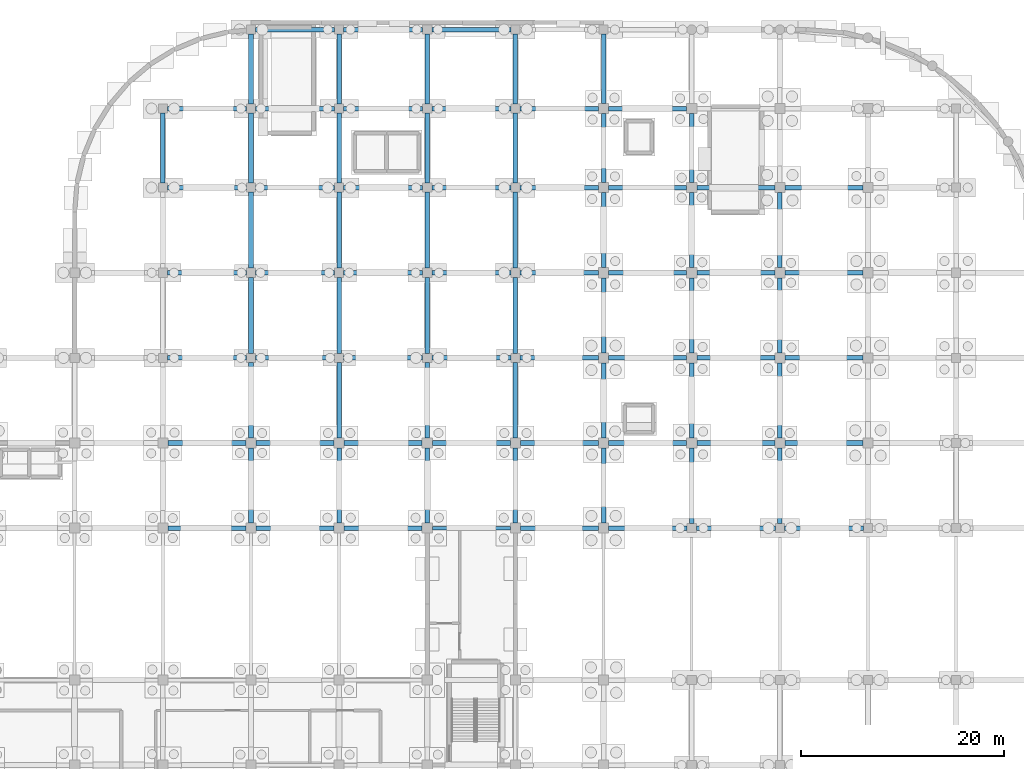
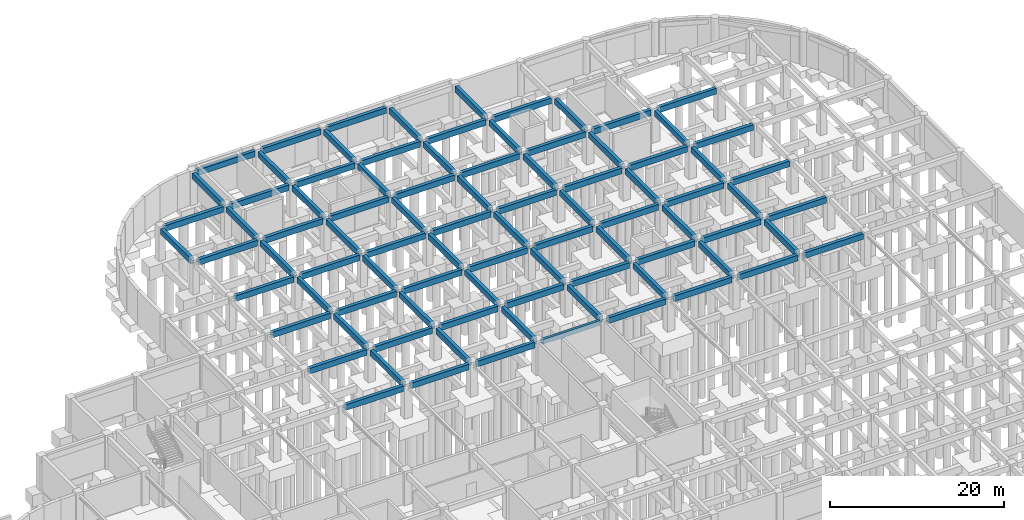
# One storey, part 18 of 33: 89 beams.
"""IFC4 building model written with IfcOpenShell, lengths in metres."""

from ifc_helpers import new_model, si_unit, derived_unit, direction, frame, origin, origin_2d, place, context, subcontext, project, spatial, rectangle, extrude, material, material_profile, profile_set, type_object, element, save


model = new_model("IFC4")

# Units and contexts
model_context = context("Model", 3, precision=1e-05, world=origin(), true_north=direction((0.0, 1.0)))
body_context = subcontext(model_context, "Body", "Model", "MODEL_VIEW")
ifc_project = project(units=[si_unit("LENGTHUNIT", "METRE"), si_unit("AREAUNIT", "SQUARE_METRE"), si_unit("VOLUMEUNIT", "CUBIC_METRE"), si_unit("PLANEANGLEUNIT", "RADIAN"), si_unit("MASSUNIT", "GRAM", prefix="KILO"), derived_unit("THERMALTRANSMITTANCEUNIT", [(si_unit("MASSUNIT", "GRAM", prefix="KILO"), 1), (si_unit("TIMEUNIT", "SECOND"), -3), (si_unit("THERMODYNAMICTEMPERATUREUNIT", "KELVIN"), -1)])], contexts=[model_context])

# Site, building, storey
site_placement = place(None, origin())
site = spatial("IfcSite", under=ifc_project, at=site_placement, CompositionType="ELEMENT")
building_placement = place(site_placement, origin())
building = spatial("IfcBuilding", under=site, at=building_placement, Name="Qinzheling Arcade Emporium", CompositionType="ELEMENT")
storey_placement = place(building_placement, frame((0.0, 0.0, -9.60009765625)))
storey = spatial("IfcBuildingStorey", under=building, at=storey_placement, Name="B2", CompositionType="ELEMENT", Elevation=-9.60009765625)

# Beams
ifc_material = material(Name="Concrete C40", Category="concrete")
ifc_material_profile_1 = material_profile(ifc_material, rectangle(XDim=0.449951171875, YDim=0.800048828125, at=origin_2d()), Name="RC 450x800", Category="concrete")
ifc_profile_set_1 = profile_set([ifc_material_profile_1], Name="Concrete C40")
beam_type_1 = type_object("IfcBeamType", Name="RC Primary Frame Beam 450x800 C40", PredefinedType="BEAM", material=ifc_profile_set_1)
beam_1_placement = place(storey_placement, frame((61.39990234375, 65.39990234375, 4.1201171875), z_axis=(1.0, 0.0, 0.0), x_axis=(0.0, 1.0, 0.0)))
element("IfcBeam", 1, at=beam_1_placement, inside=storey, type_object=beam_type_1, Name="Beam BM-B2-X-H-8", PredefinedType="BEAM", context=body_context, shape_type="SweptSolid", body=[
    extrude(rectangle(XDim=0.449951171875, YDim=0.800048828125, at=origin_2d()), origin(), (0.0, 0.0, 1.0), 7.7001953125),
])
for number, where, z_axis, x_axis, name in (
    (2, (70.10009765625, 65.39990234375, 4.1201171875), (1.0, 0.0, 0.0), (0.0, 1.0, 0.0), "Beam BM-B2-X-H-9"),
    (3, (78.800048828125, 65.39990234375, 4.1201171875), (1.0, 0.0, 0.0), (0.0, 1.0, 0.0), "Beam BM-B2-X-H-10"),
    (4, (96.199951171875, 65.39990234375, 4.1201171875), (1.0, 0.0, 0.0), (0.0, 1.0, 0.0), "Beam BM-B2-X-H-12"),
):
    element("IfcBeam", number, at=place(storey_placement, frame(where, z_axis=z_axis, x_axis=x_axis)), inside=storey, type_object=beam_type_1, Name=name, PredefinedType="BEAM", context=body_context, shape_type="SweptSolid", body=[
        extrude(rectangle(XDim=0.449951171875, YDim=0.800048828125, at=origin_2d()), origin(), (0.0, 0.0, 1.0), 7.699951171875),
    ])
beam_2_placement = place(storey_placement, frame((104.89990234375, 65.39990234375, 4.1201171875), z_axis=(1.0, 0.0, 0.0), x_axis=(0.0, 1.0, 0.0)))
element("IfcBeam", 5, at=beam_2_placement, inside=storey, type_object=beam_type_1, Name="Beam BM-B2-X-H-13", PredefinedType="BEAM", context=body_context, shape_type="SweptSolid", body=[
    extrude(rectangle(XDim=0.449951171875, YDim=0.800048828125, at=origin_2d()), origin(), (0.0, 0.0, 1.0), 7.75),
])
for number, where, z_axis, x_axis, name in (
    (6, (113.550048828125, 65.39990234375, 4.1201171875), (1.0, 0.0, 0.0), (0.0, 1.0, 0.0), "Beam BM-B2-X-H-14"),
    (7, (122.25, 65.39990234375, 4.1201171875), (1.0, 0.0, 0.0), (0.0, 1.0, 0.0), "Beam BM-B2-X-H-15"),
):
    element("IfcBeam", number, at=place(storey_placement, frame(where, z_axis=z_axis, x_axis=x_axis)), inside=storey, type_object=beam_type_1, Name=name, PredefinedType="BEAM", context=body_context, shape_type="SweptSolid", body=[
        extrude(rectangle(XDim=0.449951171875, YDim=0.800048828125, at=origin_2d()), origin(), (0.0, 0.0, 1.0), 7.800048828125),
    ])
beam_3_placement = place(storey_placement, frame((61.39990234375, 73.800048828125, 4.1201171875), z_axis=(1.0, 0.0, 0.0), x_axis=(0.0, 1.0, 0.0)))
element("IfcBeam", 8, at=beam_3_placement, inside=storey, type_object=beam_type_1, Name="Beam BM-B2-X-J-8", PredefinedType="BEAM", context=body_context, shape_type="SweptSolid", body=[
    extrude(rectangle(XDim=0.449951171875, YDim=0.800048828125, at=origin_2d()), origin(), (0.0, 0.0, 1.0), 7.7001953125),
])
for number, where, z_axis, x_axis, name in (
    (9, (70.10009765625, 73.800048828125, 4.1201171875), (1.0, 0.0, 0.0), (0.0, 1.0, 0.0), "Beam BM-B2-X-J-9"),
    (10, (78.800048828125, 73.800048828125, 4.1201171875), (1.0, 0.0, 0.0), (0.0, 1.0, 0.0), "Beam BM-B2-X-J-10"),
    (11, (87.5, 73.800048828125, 4.1201171875), (1.0, 0.0, 0.0), (0.0, 1.0, 0.0), "Beam BM-B2-X-J-11"),
    (12, (96.199951171875, 73.800048828125, 4.1201171875), (1.0, 0.0, 0.0), (0.0, 1.0, 0.0), "Beam BM-B2-X-J-12"),
):
    element("IfcBeam", number, at=place(storey_placement, frame(where, z_axis=z_axis, x_axis=x_axis)), inside=storey, type_object=beam_type_1, Name=name, PredefinedType="BEAM", context=body_context, shape_type="SweptSolid", body=[
        extrude(rectangle(XDim=0.449951171875, YDim=0.800048828125, at=origin_2d()), origin(), (0.0, 0.0, 1.0), 7.699951171875),
    ])
beam_4_placement = place(storey_placement, frame((104.89990234375, 73.800048828125, 4.1201171875), z_axis=(1.0, 0.0, 0.0), x_axis=(0.0, 1.0, 0.0)))
element("IfcBeam", 13, at=beam_4_placement, inside=storey, type_object=beam_type_1, Name="Beam BM-B2-X-J-13", PredefinedType="BEAM", context=body_context, shape_type="SweptSolid", body=[
    extrude(rectangle(XDim=0.449951171875, YDim=0.800048828125, at=origin_2d()), origin(), (0.0, 0.0, 1.0), 7.7001953125),
])
for number, where, z_axis, x_axis, name in (
    (14, (113.60009765625, 73.800048828125, 4.1201171875), (1.0, 0.0, 0.0), (0.0, 1.0, 0.0), "Beam BM-B2-X-J-14"),
    (15, (122.300048828125, 73.800048828125, 4.1201171875), (1.0, 0.0, 0.0), (0.0, 1.0, 0.0), "Beam BM-B2-X-J-15"),
):
    element("IfcBeam", number, at=place(storey_placement, frame(where, z_axis=z_axis, x_axis=x_axis)), inside=storey, type_object=beam_type_1, Name=name, PredefinedType="BEAM", context=body_context, shape_type="SweptSolid", body=[
        extrude(rectangle(XDim=0.449951171875, YDim=0.800048828125, at=origin_2d()), origin(), (0.0, 0.0, 1.0), 7.699951171875),
    ])
beam_5_placement = place(storey_placement, frame((61.35009765625, 82.199951171875, 4.1201171875), z_axis=(1.0, 0.0, 0.0), x_axis=(0.0, 1.0, 0.0)))
element("IfcBeam", 16, at=beam_5_placement, inside=storey, type_object=beam_type_1, Name="Beam BM-B2-X-K-8", PredefinedType="BEAM", context=body_context, shape_type="SweptSolid", body=[
    extrude(rectangle(XDim=0.449951171875, YDim=0.800048828125, at=origin_2d()), origin(), (0.0, 0.0, 1.0), 7.7998046875),
])
for number, where, z_axis, x_axis, name in (
    (17, (70.050048828125, 82.199951171875, 4.1201171875), (1.0, 0.0, 0.0), (0.0, 1.0, 0.0), "Beam BM-B2-X-K-9"),
    (18, (78.75, 82.199951171875, 4.1201171875), (1.0, 0.0, 0.0), (0.0, 1.0, 0.0), "Beam BM-B2-X-K-10"),
    (19, (87.449951171875, 82.199951171875, 4.1201171875), (1.0, 0.0, 0.0), (0.0, 1.0, 0.0), "Beam BM-B2-X-K-11"),
):
    element("IfcBeam", number, at=place(storey_placement, frame(where, z_axis=z_axis, x_axis=x_axis)), inside=storey, type_object=beam_type_1, Name=name, PredefinedType="BEAM", context=body_context, shape_type="SweptSolid", body=[
        extrude(rectangle(XDim=0.449951171875, YDim=0.800048828125, at=origin_2d()), origin(), (0.0, 0.0, 1.0), 7.800048828125),
    ])
beam_6_placement = place(storey_placement, frame((96.14990234375, 82.199951171875, 4.1201171875), z_axis=(1.0, 0.0, 0.0), x_axis=(0.0, 1.0, 0.0)))
element("IfcBeam", 20, at=beam_6_placement, inside=storey, type_object=beam_type_1, Name="Beam BM-B2-X-K-12", PredefinedType="BEAM", context=body_context, shape_type="SweptSolid", body=[
    extrude(rectangle(XDim=0.449951171875, YDim=0.800048828125, at=origin_2d()), origin(), (0.0, 0.0, 1.0), 7.75),
])
beam_7_placement = place(storey_placement, frame((104.89990234375, 82.199951171875, 4.1201171875), z_axis=(1.0, 0.0, 0.0), x_axis=(0.0, 1.0, 0.0)))
element("IfcBeam", 21, at=beam_7_placement, inside=storey, type_object=beam_type_1, Name="Beam BM-B2-X-K-13", PredefinedType="BEAM", context=body_context, shape_type="SweptSolid", body=[
    extrude(rectangle(XDim=0.449951171875, YDim=0.800048828125, at=origin_2d()), origin(), (0.0, 0.0, 1.0), 7.7001953125),
])
for number, where, z_axis, x_axis, name in (
    (22, (113.60009765625, 82.199951171875, 4.1201171875), (1.0, 0.0, 0.0), (0.0, 1.0, 0.0), "Beam BM-B2-X-K-14"),
    (23, (122.300048828125, 82.199951171875, 4.1201171875), (1.0, 0.0, 0.0), (0.0, 1.0, 0.0), "Beam BM-B2-X-K-15"),
):
    element("IfcBeam", number, at=place(storey_placement, frame(where, z_axis=z_axis, x_axis=x_axis)), inside=storey, type_object=beam_type_1, Name=name, PredefinedType="BEAM", context=body_context, shape_type="SweptSolid", body=[
        extrude(rectangle(XDim=0.449951171875, YDim=0.800048828125, at=origin_2d()), origin(), (0.0, 0.0, 1.0), 7.699951171875),
    ])
beam_8_placement = place(storey_placement, frame((61.35009765625, 90.60009765625, 4.1201171875), z_axis=(1.0, 0.0, 0.0), x_axis=(0.0, 1.0, 0.0)))
element("IfcBeam", 24, at=beam_8_placement, inside=storey, type_object=beam_type_1, Name="Beam BM-B2-X-L-8", PredefinedType="BEAM", context=body_context, shape_type="SweptSolid", body=[
    extrude(rectangle(XDim=0.449951171875, YDim=0.800048828125, at=origin_2d()), origin(), (0.0, 0.0, 1.0), 7.7998046875),
])
for number, where, z_axis, x_axis, name in (
    (25, (70.050048828125, 90.60009765625, 4.1201171875), (1.0, 0.0, 0.0), (0.0, 1.0, 0.0), "Beam BM-B2-X-L-9"),
    (26, (78.75, 90.60009765625, 4.1201171875), (1.0, 0.0, 0.0), (0.0, 1.0, 0.0), "Beam BM-B2-X-L-10"),
    (27, (87.449951171875, 90.60009765625, 4.1201171875), (1.0, 0.0, 0.0), (0.0, 1.0, 0.0), "Beam BM-B2-X-L-11"),
):
    element("IfcBeam", number, at=place(storey_placement, frame(where, z_axis=z_axis, x_axis=x_axis)), inside=storey, type_object=beam_type_1, Name=name, PredefinedType="BEAM", context=body_context, shape_type="SweptSolid", body=[
        extrude(rectangle(XDim=0.449951171875, YDim=0.800048828125, at=origin_2d()), origin(), (0.0, 0.0, 1.0), 7.800048828125),
    ])
beam_9_placement = place(storey_placement, frame((96.14990234375, 90.60009765625, 4.1201171875), z_axis=(1.0, 0.0, 0.0), x_axis=(0.0, 1.0, 0.0)))
element("IfcBeam", 28, at=beam_9_placement, inside=storey, type_object=beam_type_1, Name="Beam BM-B2-X-L-12", PredefinedType="BEAM", context=body_context, shape_type="SweptSolid", body=[
    extrude(rectangle(XDim=0.449951171875, YDim=0.800048828125, at=origin_2d()), origin(), (0.0, 0.0, 1.0), 7.75),
])
beam_10_placement = place(storey_placement, frame((104.89990234375, 90.60009765625, 4.1201171875), z_axis=(1.0, 0.0, 0.0), x_axis=(0.0, 1.0, 0.0)))
element("IfcBeam", 29, at=beam_10_placement, inside=storey, type_object=beam_type_1, Name="Beam BM-B2-X-L-13", PredefinedType="BEAM", context=body_context, shape_type="SweptSolid", body=[
    extrude(rectangle(XDim=0.449951171875, YDim=0.800048828125, at=origin_2d()), origin(), (0.0, 0.0, 1.0), 7.7001953125),
])
for number, where, z_axis, x_axis, name in (
    (30, (113.60009765625, 90.60009765625, 4.1201171875), (1.0, 0.0, 0.0), (0.0, 1.0, 0.0), "Beam BM-B2-X-L-14"),
    (31, (122.300048828125, 90.60009765625, 4.1201171875), (1.0, 0.0, 0.0), (0.0, 1.0, 0.0), "Beam BM-B2-X-L-15"),
):
    element("IfcBeam", number, at=place(storey_placement, frame(where, z_axis=z_axis, x_axis=x_axis)), inside=storey, type_object=beam_type_1, Name=name, PredefinedType="BEAM", context=body_context, shape_type="SweptSolid", body=[
        extrude(rectangle(XDim=0.449951171875, YDim=0.800048828125, at=origin_2d()), origin(), (0.0, 0.0, 1.0), 7.699951171875),
    ])
beam_11_placement = place(storey_placement, frame((61.35009765625, 99.0, 4.1201171875), z_axis=(1.0, 0.0, 0.0), x_axis=(0.0, 1.0, 0.0)))
element("IfcBeam", 32, at=beam_11_placement, inside=storey, type_object=beam_type_1, Name="Beam BM-B2-X-M-8", PredefinedType="BEAM", context=body_context, shape_type="SweptSolid", body=[
    extrude(rectangle(XDim=0.449951171875, YDim=0.800048828125, at=origin_2d()), origin(), (0.0, 0.0, 1.0), 7.7998046875),
])
for number, where, z_axis, x_axis, name in (
    (33, (70.050048828125, 99.0, 4.1201171875), (1.0, 0.0, 0.0), (0.0, 1.0, 0.0), "Beam BM-B2-X-M-9"),
    (34, (78.75, 99.0, 4.1201171875), (1.0, 0.0, 0.0), (0.0, 1.0, 0.0), "Beam BM-B2-X-M-10"),
    (35, (87.449951171875, 99.0, 4.1201171875), (1.0, 0.0, 0.0), (0.0, 1.0, 0.0), "Beam BM-B2-X-M-11"),
):
    element("IfcBeam", number, at=place(storey_placement, frame(where, z_axis=z_axis, x_axis=x_axis)), inside=storey, type_object=beam_type_1, Name=name, PredefinedType="BEAM", context=body_context, shape_type="SweptSolid", body=[
        extrude(rectangle(XDim=0.449951171875, YDim=0.800048828125, at=origin_2d()), origin(), (0.0, 0.0, 1.0), 7.800048828125),
    ])
beam_12_placement = place(storey_placement, frame((96.14990234375, 99.0, 4.1201171875), z_axis=(1.0, 0.0, 0.0), x_axis=(0.0, 1.0, 0.0)))
element("IfcBeam", 36, at=beam_12_placement, inside=storey, type_object=beam_type_1, Name="Beam BM-B2-X-M-12", PredefinedType="BEAM", context=body_context, shape_type="SweptSolid", body=[
    extrude(rectangle(XDim=0.449951171875, YDim=0.800048828125, at=origin_2d()), origin(), (0.0, 0.0, 1.0), 7.75),
])
beam_13_placement = place(storey_placement, frame((104.89990234375, 99.0, 4.1201171875), z_axis=(1.0, 0.0, 0.0), x_axis=(0.0, 1.0, 0.0)))
element("IfcBeam", 37, at=beam_13_placement, inside=storey, type_object=beam_type_1, Name="Beam BM-B2-X-M-13", PredefinedType="BEAM", context=body_context, shape_type="SweptSolid", body=[
    extrude(rectangle(XDim=0.449951171875, YDim=0.800048828125, at=origin_2d()), origin(), (0.0, 0.0, 1.0), 7.7001953125),
])
for number, where, z_axis, x_axis, name in (
    (38, (113.60009765625, 99.0, 4.1201171875), (1.0, 0.0, 0.0), (0.0, 1.0, 0.0), "Beam BM-B2-X-M-14"),
    (39, (122.300048828125, 99.0, 4.1201171875), (1.0, 0.0, 0.0), (0.0, 1.0, 0.0), "Beam BM-B2-X-M-15"),
):
    element("IfcBeam", number, at=place(storey_placement, frame(where, z_axis=z_axis, x_axis=x_axis)), inside=storey, type_object=beam_type_1, Name=name, PredefinedType="BEAM", context=body_context, shape_type="SweptSolid", body=[
        extrude(rectangle(XDim=0.449951171875, YDim=0.800048828125, at=origin_2d()), origin(), (0.0, 0.0, 1.0), 7.699951171875),
    ])
beam_14_placement = place(storey_placement, frame((61.35009765625, 106.800048828125, 4.1201171875), z_axis=(1.0, 0.0, 0.0), x_axis=(0.0, 1.0, 0.0)))
element("IfcBeam", 40, at=beam_14_placement, inside=storey, type_object=beam_type_1, Name="Beam BM-B2-X-N-8", PredefinedType="BEAM", context=body_context, shape_type="SweptSolid", body=[
    extrude(rectangle(XDim=0.449951171875, YDim=0.800048828125, at=origin_2d()), origin(), (0.0, 0.0, 1.0), 7.7998046875),
])
for number, where, z_axis, x_axis, name in (
    (41, (70.050048828125, 106.800048828125, 4.1201171875), (1.0, 0.0, 0.0), (0.0, 1.0, 0.0), "Beam BM-B2-X-N-9"),
    (42, (78.75, 106.800048828125, 4.1201171875), (1.0, 0.0, 0.0), (0.0, 1.0, 0.0), "Beam BM-B2-X-N-10"),
    (43, (87.449951171875, 106.800048828125, 4.1201171875), (1.0, 0.0, 0.0), (0.0, 1.0, 0.0), "Beam BM-B2-X-N-11"),
):
    element("IfcBeam", number, at=place(storey_placement, frame(where, z_axis=z_axis, x_axis=x_axis)), inside=storey, type_object=beam_type_1, Name=name, PredefinedType="BEAM", context=body_context, shape_type="SweptSolid", body=[
        extrude(rectangle(XDim=0.449951171875, YDim=0.800048828125, at=origin_2d()), origin(), (0.0, 0.0, 1.0), 7.800048828125),
    ])
beam_15_placement = place(storey_placement, frame((96.14990234375, 106.800048828125, 4.1201171875), z_axis=(1.0, 0.0, 0.0), x_axis=(0.0, 1.0, 0.0)))
element("IfcBeam", 44, at=beam_15_placement, inside=storey, type_object=beam_type_1, Name="Beam BM-B2-X-N-12", PredefinedType="BEAM", context=body_context, shape_type="SweptSolid", body=[
    extrude(rectangle(XDim=0.449951171875, YDim=0.800048828125, at=origin_2d()), origin(), (0.0, 0.0, 1.0), 7.75),
])
beam_16_placement = place(storey_placement, frame((104.89990234375, 106.800048828125, 4.1201171875), z_axis=(1.0, 0.0, 0.0), x_axis=(0.0, 1.0, 0.0)))
element("IfcBeam", 45, at=beam_16_placement, inside=storey, type_object=beam_type_1, Name="Beam BM-B2-X-N-13", PredefinedType="BEAM", context=body_context, shape_type="SweptSolid", body=[
    extrude(rectangle(XDim=0.449951171875, YDim=0.800048828125, at=origin_2d()), origin(), (0.0, 0.0, 1.0), 7.7001953125),
])
for number, where, z_axis, x_axis, name in (
    (46, (70.050048828125, 114.60009765625, 4.1201171875), (1.0, 0.0, 0.0), (0.0, 1.0, 0.0), "Beam BM-B2-X-P-9"),
    (47, (78.75, 114.60009765625, 4.1201171875), (1.0, 0.0, 0.0), (0.0, 1.0, 0.0), "Beam BM-B2-X-P-10"),
    (48, (87.449951171875, 114.60009765625, 4.1201171875), (1.0, 0.0, 0.0), (0.0, 1.0, 0.0), "Beam BM-B2-X-P-11"),
):
    element("IfcBeam", number, at=place(storey_placement, frame(where, z_axis=z_axis, x_axis=x_axis)), inside=storey, type_object=beam_type_1, Name=name, PredefinedType="BEAM", context=body_context, shape_type="SweptSolid", body=[
        extrude(rectangle(XDim=0.449951171875, YDim=0.800048828125, at=origin_2d()), origin(), (0.0, 0.0, 1.0), 7.800048828125),
    ])
beam_17_placement = place(storey_placement, frame((60.89990234375, 99.449951171875, 4.1201171875), z_axis=(0.0, 1.0, 0.0), x_axis=(-1.0, 0.0, 0.0)))
element("IfcBeam", 49, at=beam_17_placement, inside=storey, type_object=beam_type_1, Name="Beam BM-B2-Y-8-M", PredefinedType="BEAM", context=body_context, shape_type="SweptSolid", body=[
    extrude(rectangle(XDim=0.449951171875, YDim=0.800048828125, at=origin_2d()), origin(), (0.0, 0.0, 1.0), 6.900146484375),
])
beam_18_placement = place(storey_placement, frame((69.60009765625, 65.89990234375, 4.1201171875), z_axis=(0.0, 1.0, 0.0), x_axis=(-1.0, 0.0, 0.0)))
element("IfcBeam", 50, at=beam_18_placement, inside=storey, type_object=beam_type_1, Name="Beam BM-B2-Y-9-H", PredefinedType="BEAM", context=body_context, shape_type="SweptSolid", body=[
    extrude(rectangle(XDim=0.449951171875, YDim=0.800048828125, at=origin_2d()), origin(), (0.0, 0.0, 1.0), 7.400146484375),
])
beam_19_placement = place(storey_placement, frame((69.60009765625, 74.300048828125, 4.1201171875), z_axis=(0.0, 1.0, 0.0), x_axis=(-1.0, 0.0, 0.0)))
element("IfcBeam", 51, at=beam_19_placement, inside=storey, type_object=beam_type_1, Name="Beam BM-B2-Y-9-J", PredefinedType="BEAM", context=body_context, shape_type="SweptSolid", body=[
    extrude(rectangle(XDim=0.449951171875, YDim=0.800048828125, at=origin_2d()), origin(), (0.0, 0.0, 1.0), 7.449951171875),
])
for number, where, z_axis, x_axis, name in (
    (52, (69.60009765625, 82.64990234375, 4.1201171875), (0.0, 1.0, 0.0), (-1.0, 0.0, 0.0), "Beam BM-B2-Y-9-K"),
    (53, (69.60009765625, 91.050048828125, 4.1201171875), (0.0, 1.0, 0.0), (-1.0, 0.0, 0.0), "Beam BM-B2-Y-9-L"),
):
    element("IfcBeam", number, at=place(storey_placement, frame(where, z_axis=z_axis, x_axis=x_axis)), inside=storey, type_object=beam_type_1, Name=name, PredefinedType="BEAM", context=body_context, shape_type="SweptSolid", body=[
        extrude(rectangle(XDim=0.449951171875, YDim=0.800048828125, at=origin_2d()), origin(), (0.0, 0.0, 1.0), 7.5),
    ])
beam_20_placement = place(storey_placement, frame((69.60009765625, 99.449951171875, 4.1201171875), z_axis=(0.0, 1.0, 0.0), x_axis=(-1.0, 0.0, 0.0)))
element("IfcBeam", 54, at=beam_20_placement, inside=storey, type_object=beam_type_1, Name="Beam BM-B2-Y-9-M", PredefinedType="BEAM", context=body_context, shape_type="SweptSolid", body=[
    extrude(rectangle(XDim=0.449951171875, YDim=0.800048828125, at=origin_2d()), origin(), (0.0, 0.0, 1.0), 6.900146484375),
])
beam_21_placement = place(storey_placement, frame((69.60009765625, 107.25, 4.1201171875), z_axis=(0.0, 1.0, 0.0), x_axis=(-1.0, 0.0, 0.0)))
element("IfcBeam", 55, at=beam_21_placement, inside=storey, type_object=beam_type_1, Name="Beam BM-B2-Y-9-N", PredefinedType="BEAM", context=body_context, shape_type="SweptSolid", body=[
    extrude(rectangle(XDim=0.449951171875, YDim=0.800048828125, at=origin_2d()), origin(), (0.0, 0.0, 1.0), 6.89990234375),
])
beam_22_placement = place(storey_placement, frame((78.300048828125, 65.89990234375, 4.1201171875), z_axis=(0.0, 1.0, 0.0), x_axis=(-1.0, 0.0, 0.0)))
element("IfcBeam", 56, at=beam_22_placement, inside=storey, type_object=beam_type_1, Name="Beam BM-B2-Y-10-H", PredefinedType="BEAM", context=body_context, shape_type="SweptSolid", body=[
    extrude(rectangle(XDim=0.449951171875, YDim=0.800048828125, at=origin_2d()), origin(), (0.0, 0.0, 1.0), 7.400146484375),
])
beam_23_placement = place(storey_placement, frame((78.300048828125, 74.300048828125, 4.1201171875), z_axis=(0.0, 1.0, 0.0), x_axis=(-1.0, 0.0, 0.0)))
element("IfcBeam", 57, at=beam_23_placement, inside=storey, type_object=beam_type_1, Name="Beam BM-B2-Y-10-J", PredefinedType="BEAM", context=body_context, shape_type="SweptSolid", body=[
    extrude(rectangle(XDim=0.449951171875, YDim=0.800048828125, at=origin_2d()), origin(), (0.0, 0.0, 1.0), 7.449951171875),
])
for number, where, z_axis, x_axis, name in (
    (58, (78.300048828125, 82.64990234375, 4.1201171875), (0.0, 1.0, 0.0), (-1.0, 0.0, 0.0), "Beam BM-B2-Y-10-K"),
    (59, (78.300048828125, 91.050048828125, 4.1201171875), (0.0, 1.0, 0.0), (-1.0, 0.0, 0.0), "Beam BM-B2-Y-10-L"),
):
    element("IfcBeam", number, at=place(storey_placement, frame(where, z_axis=z_axis, x_axis=x_axis)), inside=storey, type_object=beam_type_1, Name=name, PredefinedType="BEAM", context=body_context, shape_type="SweptSolid", body=[
        extrude(rectangle(XDim=0.449951171875, YDim=0.800048828125, at=origin_2d()), origin(), (0.0, 0.0, 1.0), 7.5),
    ])
beam_24_placement = place(storey_placement, frame((78.300048828125, 99.449951171875, 4.1201171875), z_axis=(0.0, 1.0, 0.0), x_axis=(-1.0, 0.0, 0.0)))
element("IfcBeam", 60, at=beam_24_placement, inside=storey, type_object=beam_type_1, Name="Beam BM-B2-Y-10-M", PredefinedType="BEAM", context=body_context, shape_type="SweptSolid", body=[
    extrude(rectangle(XDim=0.449951171875, YDim=0.800048828125, at=origin_2d()), origin(), (0.0, 0.0, 1.0), 6.900146484375),
])
beam_25_placement = place(storey_placement, frame((78.300048828125, 107.25, 4.1201171875), z_axis=(0.0, 1.0, 0.0), x_axis=(-1.0, 0.0, 0.0)))
element("IfcBeam", 61, at=beam_25_placement, inside=storey, type_object=beam_type_1, Name="Beam BM-B2-Y-10-N", PredefinedType="BEAM", context=body_context, shape_type="SweptSolid", body=[
    extrude(rectangle(XDim=0.449951171875, YDim=0.800048828125, at=origin_2d()), origin(), (0.0, 0.0, 1.0), 6.89990234375),
])
beam_26_placement = place(storey_placement, frame((87.0, 65.89990234375, 4.1201171875), z_axis=(0.0, 1.0, 0.0), x_axis=(-1.0, 0.0, 0.0)))
element("IfcBeam", 62, at=beam_26_placement, inside=storey, type_object=beam_type_1, Name="Beam BM-B2-Y-11-H", PredefinedType="BEAM", context=body_context, shape_type="SweptSolid", body=[
    extrude(rectangle(XDim=0.449951171875, YDim=0.800048828125, at=origin_2d()), origin(), (0.0, 0.0, 1.0), 7.400146484375),
])
beam_27_placement = place(storey_placement, frame((87.0, 74.300048828125, 4.1201171875), z_axis=(0.0, 1.0, 0.0), x_axis=(-1.0, 0.0, 0.0)))
element("IfcBeam", 63, at=beam_27_placement, inside=storey, type_object=beam_type_1, Name="Beam BM-B2-Y-11-J", PredefinedType="BEAM", context=body_context, shape_type="SweptSolid", body=[
    extrude(rectangle(XDim=0.449951171875, YDim=0.800048828125, at=origin_2d()), origin(), (0.0, 0.0, 1.0), 7.449951171875),
])
for number, where, z_axis, x_axis, name in (
    (64, (87.0, 82.64990234375, 4.1201171875), (0.0, 1.0, 0.0), (-1.0, 0.0, 0.0), "Beam BM-B2-Y-11-K"),
    (65, (87.0, 91.050048828125, 4.1201171875), (0.0, 1.0, 0.0), (-1.0, 0.0, 0.0), "Beam BM-B2-Y-11-L"),
):
    element("IfcBeam", number, at=place(storey_placement, frame(where, z_axis=z_axis, x_axis=x_axis)), inside=storey, type_object=beam_type_1, Name=name, PredefinedType="BEAM", context=body_context, shape_type="SweptSolid", body=[
        extrude(rectangle(XDim=0.449951171875, YDim=0.800048828125, at=origin_2d()), origin(), (0.0, 0.0, 1.0), 7.5),
    ])
beam_28_placement = place(storey_placement, frame((87.0, 99.449951171875, 4.1201171875), z_axis=(0.0, 1.0, 0.0), x_axis=(-1.0, 0.0, 0.0)))
element("IfcBeam", 66, at=beam_28_placement, inside=storey, type_object=beam_type_1, Name="Beam BM-B2-Y-11-M", PredefinedType="BEAM", context=body_context, shape_type="SweptSolid", body=[
    extrude(rectangle(XDim=0.449951171875, YDim=0.800048828125, at=origin_2d()), origin(), (0.0, 0.0, 1.0), 6.900146484375),
])
beam_29_placement = place(storey_placement, frame((87.0, 107.25, 4.1201171875), z_axis=(0.0, 1.0, 0.0), x_axis=(-1.0, 0.0, 0.0)))
element("IfcBeam", 67, at=beam_29_placement, inside=storey, type_object=beam_type_1, Name="Beam BM-B2-Y-11-N", PredefinedType="BEAM", context=body_context, shape_type="SweptSolid", body=[
    extrude(rectangle(XDim=0.449951171875, YDim=0.800048828125, at=origin_2d()), origin(), (0.0, 0.0, 1.0), 6.89990234375),
])
beam_30_placement = place(storey_placement, frame((95.699951171875, 65.89990234375, 4.1201171875), z_axis=(0.0, 1.0, 0.0), x_axis=(-1.0, 0.0, 0.0)))
element("IfcBeam", 68, at=beam_30_placement, inside=storey, type_object=beam_type_1, Name="Beam BM-B2-Y-12-H", PredefinedType="BEAM", context=body_context, shape_type="SweptSolid", body=[
    extrude(rectangle(XDim=0.449951171875, YDim=0.800048828125, at=origin_2d()), origin(), (0.0, 0.0, 1.0), 7.400146484375),
])
beam_31_placement = place(storey_placement, frame((95.699951171875, 74.300048828125, 4.1201171875), z_axis=(0.0, 1.0, 0.0), x_axis=(-1.0, 0.0, 0.0)))
element("IfcBeam", 69, at=beam_31_placement, inside=storey, type_object=beam_type_1, Name="Beam BM-B2-Y-12-J", PredefinedType="BEAM", context=body_context, shape_type="SweptSolid", body=[
    extrude(rectangle(XDim=0.449951171875, YDim=0.800048828125, at=origin_2d()), origin(), (0.0, 0.0, 1.0), 7.449951171875),
])
for number, where, z_axis, x_axis, name in (
    (70, (95.699951171875, 82.64990234375, 4.1201171875), (0.0, 1.0, 0.0), (-1.0, 0.0, 0.0), "Beam BM-B2-Y-12-K"),
    (71, (95.699951171875, 91.050048828125, 4.1201171875), (0.0, 1.0, 0.0), (-1.0, 0.0, 0.0), "Beam BM-B2-Y-12-L"),
):
    element("IfcBeam", number, at=place(storey_placement, frame(where, z_axis=z_axis, x_axis=x_axis)), inside=storey, type_object=beam_type_1, Name=name, PredefinedType="BEAM", context=body_context, shape_type="SweptSolid", body=[
        extrude(rectangle(XDim=0.449951171875, YDim=0.800048828125, at=origin_2d()), origin(), (0.0, 0.0, 1.0), 7.5),
    ])
beam_32_placement = place(storey_placement, frame((95.699951171875, 99.449951171875, 4.1201171875), z_axis=(0.0, 1.0, 0.0), x_axis=(-1.0, 0.0, 0.0)))
element("IfcBeam", 72, at=beam_32_placement, inside=storey, type_object=beam_type_1, Name="Beam BM-B2-Y-12-M", PredefinedType="BEAM", context=body_context, shape_type="SweptSolid", body=[
    extrude(rectangle(XDim=0.449951171875, YDim=0.800048828125, at=origin_2d()), origin(), (0.0, 0.0, 1.0), 6.900146484375),
])
beam_33_placement = place(storey_placement, frame((95.699951171875, 107.25, 4.1201171875), z_axis=(0.0, 1.0, 0.0), x_axis=(-1.0, 0.0, 0.0)))
element("IfcBeam", 73, at=beam_33_placement, inside=storey, type_object=beam_type_1, Name="Beam BM-B2-Y-12-N", PredefinedType="BEAM", context=body_context, shape_type="SweptSolid", body=[
    extrude(rectangle(XDim=0.449951171875, YDim=0.800048828125, at=origin_2d()), origin(), (0.0, 0.0, 1.0), 6.89990234375),
])
beam_34_placement = place(storey_placement, frame((104.39990234375, 65.89990234375, 4.1201171875), z_axis=(0.0, 1.0, 0.0), x_axis=(-1.0, 0.0, 0.0)))
element("IfcBeam", 74, at=beam_34_placement, inside=storey, type_object=beam_type_1, Name="Beam BM-B2-Y-13-H", PredefinedType="BEAM", context=body_context, shape_type="SweptSolid", body=[
    extrude(rectangle(XDim=0.449951171875, YDim=0.800048828125, at=origin_2d()), origin(), (0.0, 0.0, 1.0), 7.400146484375),
])
beam_35_placement = place(storey_placement, frame((104.39990234375, 74.300048828125, 4.1201171875), z_axis=(0.0, 1.0, 0.0), x_axis=(-1.0, 0.0, 0.0)))
element("IfcBeam", 75, at=beam_35_placement, inside=storey, type_object=beam_type_1, Name="Beam BM-B2-Y-13-J", PredefinedType="BEAM", context=body_context, shape_type="SweptSolid", body=[
    extrude(rectangle(XDim=0.449951171875, YDim=0.800048828125, at=origin_2d()), origin(), (0.0, 0.0, 1.0), 7.39990234375),
])
beam_36_placement = place(storey_placement, frame((104.39990234375, 82.699951171875, 4.1201171875), z_axis=(0.0, 1.0, 0.0), x_axis=(-1.0, 0.0, 0.0)))
element("IfcBeam", 76, at=beam_36_placement, inside=storey, type_object=beam_type_1, Name="Beam BM-B2-Y-13-K", PredefinedType="BEAM", context=body_context, shape_type="SweptSolid", body=[
    extrude(rectangle(XDim=0.449951171875, YDim=0.800048828125, at=origin_2d()), origin(), (0.0, 0.0, 1.0), 7.400146484375),
])
beam_37_placement = place(storey_placement, frame((104.39990234375, 91.10009765625, 4.1201171875), z_axis=(0.0, 1.0, 0.0), x_axis=(-1.0, 0.0, 0.0)))
element("IfcBeam", 77, at=beam_37_placement, inside=storey, type_object=beam_type_1, Name="Beam BM-B2-Y-13-L", PredefinedType="BEAM", context=body_context, shape_type="SweptSolid", body=[
    extrude(rectangle(XDim=0.449951171875, YDim=0.800048828125, at=origin_2d()), origin(), (0.0, 0.0, 1.0), 7.39990234375),
])
beam_38_placement = place(storey_placement, frame((104.39990234375, 99.5, 4.1201171875), z_axis=(0.0, 1.0, 0.0), x_axis=(-1.0, 0.0, 0.0)))
element("IfcBeam", 78, at=beam_38_placement, inside=storey, type_object=beam_type_1, Name="Beam BM-B2-Y-13-M", PredefinedType="BEAM", context=body_context, shape_type="SweptSolid", body=[
    extrude(rectangle(XDim=0.449951171875, YDim=0.800048828125, at=origin_2d()), origin(), (0.0, 0.0, 1.0), 6.800048828125),
])
beam_39_placement = place(storey_placement, frame((104.39990234375, 107.300048828125, 4.1201171875), z_axis=(0.0, 1.0, 0.0), x_axis=(-1.0, 0.0, 0.0)))
element("IfcBeam", 79, at=beam_39_placement, inside=storey, type_object=beam_type_1, Name="Beam BM-B2-Y-13-N", PredefinedType="BEAM", context=body_context, shape_type="SweptSolid", body=[
    extrude(rectangle(XDim=0.449951171875, YDim=0.800048828125, at=origin_2d()), origin(), (0.0, 0.0, 1.0), 6.849853515625),
])
beam_40_placement = place(storey_placement, frame((113.10009765625, 65.85009765625, 4.1201171875), z_axis=(0.0, 1.0, 0.0), x_axis=(-1.0, 0.0, 0.0)))
element("IfcBeam", 80, at=beam_40_placement, inside=storey, type_object=beam_type_1, Name="Beam BM-B2-Y-14-H", PredefinedType="BEAM", context=body_context, shape_type="SweptSolid", body=[
    extrude(rectangle(XDim=0.449951171875, YDim=0.800048828125, at=origin_2d()), origin(), (0.0, 0.0, 1.0), 7.449951171875),
])
beam_41_placement = place(storey_placement, frame((113.10009765625, 74.300048828125, 4.1201171875), z_axis=(0.0, 1.0, 0.0), x_axis=(-1.0, 0.0, 0.0)))
element("IfcBeam", 81, at=beam_41_placement, inside=storey, type_object=beam_type_1, Name="Beam BM-B2-Y-14-J", PredefinedType="BEAM", context=body_context, shape_type="SweptSolid", body=[
    extrude(rectangle(XDim=0.449951171875, YDim=0.800048828125, at=origin_2d()), origin(), (0.0, 0.0, 1.0), 7.39990234375),
])
beam_42_placement = place(storey_placement, frame((113.10009765625, 82.699951171875, 4.1201171875), z_axis=(0.0, 1.0, 0.0), x_axis=(-1.0, 0.0, 0.0)))
element("IfcBeam", 82, at=beam_42_placement, inside=storey, type_object=beam_type_1, Name="Beam BM-B2-Y-14-K", PredefinedType="BEAM", context=body_context, shape_type="SweptSolid", body=[
    extrude(rectangle(XDim=0.449951171875, YDim=0.800048828125, at=origin_2d()), origin(), (0.0, 0.0, 1.0), 7.400146484375),
])
beam_43_placement = place(storey_placement, frame((113.10009765625, 91.10009765625, 4.1201171875), z_axis=(0.0, 1.0, 0.0), x_axis=(-1.0, 0.0, 0.0)))
element("IfcBeam", 83, at=beam_43_placement, inside=storey, type_object=beam_type_1, Name="Beam BM-B2-Y-14-L", PredefinedType="BEAM", context=body_context, shape_type="SweptSolid", body=[
    extrude(rectangle(XDim=0.449951171875, YDim=0.800048828125, at=origin_2d()), origin(), (0.0, 0.0, 1.0), 7.39990234375),
])
beam_44_placement = place(storey_placement, frame((113.10009765625, 99.5, 4.1201171875), z_axis=(0.0, 1.0, 0.0), x_axis=(-1.0, 0.0, 0.0)))
element("IfcBeam", 84, at=beam_44_placement, inside=storey, type_object=beam_type_1, Name="Beam BM-B2-Y-14-M", PredefinedType="BEAM", context=body_context, shape_type="SweptSolid", body=[
    extrude(rectangle(XDim=0.449951171875, YDim=0.800048828125, at=origin_2d()), origin(), (0.0, 0.0, 1.0), 6.800048828125),
])
beam_45_placement = place(storey_placement, frame((121.800048828125, 65.85009765625, 4.1201171875), z_axis=(0.0, 1.0, 0.0), x_axis=(-1.0, 0.0, 0.0)))
element("IfcBeam", 85, at=beam_45_placement, inside=storey, type_object=beam_type_1, Name="Beam BM-B2-Y-15-H", PredefinedType="BEAM", context=body_context, shape_type="SweptSolid", body=[
    extrude(rectangle(XDim=0.449951171875, YDim=0.800048828125, at=origin_2d()), origin(), (0.0, 0.0, 1.0), 7.449951171875),
])
beam_46_placement = place(storey_placement, frame((121.800048828125, 74.300048828125, 4.1201171875), z_axis=(0.0, 1.0, 0.0), x_axis=(-1.0, 0.0, 0.0)))
element("IfcBeam", 86, at=beam_46_placement, inside=storey, type_object=beam_type_1, Name="Beam BM-B2-Y-15-J", PredefinedType="BEAM", context=body_context, shape_type="SweptSolid", body=[
    extrude(rectangle(XDim=0.449951171875, YDim=0.800048828125, at=origin_2d()), origin(), (0.0, 0.0, 1.0), 7.39990234375),
])
beam_47_placement = place(storey_placement, frame((121.800048828125, 82.699951171875, 4.1201171875), z_axis=(0.0, 1.0, 0.0), x_axis=(-1.0, 0.0, 0.0)))
element("IfcBeam", 87, at=beam_47_placement, inside=storey, type_object=beam_type_1, Name="Beam BM-B2-Y-15-K", PredefinedType="BEAM", context=body_context, shape_type="SweptSolid", body=[
    extrude(rectangle(XDim=0.449951171875, YDim=0.800048828125, at=origin_2d()), origin(), (0.0, 0.0, 1.0), 7.400146484375),
])
beam_48_placement = place(storey_placement, frame((121.800048828125, 91.10009765625, 4.1201171875), z_axis=(0.0, 1.0, 0.0), x_axis=(-1.0, 0.0, 0.0)))
element("IfcBeam", 88, at=beam_48_placement, inside=storey, type_object=beam_type_1, Name="Beam BM-B2-Y-15-L", PredefinedType="BEAM", context=body_context, shape_type="SweptSolid", body=[
    extrude(rectangle(XDim=0.449951171875, YDim=0.800048828125, at=origin_2d()), origin(), (0.0, 0.0, 1.0), 7.39990234375),
])
ifc_material_profile_2 = material_profile(ifc_material, rectangle(XDim=0.35009765625, YDim=0.64990234375, at=origin_2d()), Name="RC 350x650", Category="concrete")
ifc_profile_set_2 = profile_set([ifc_material_profile_2], Name="Concrete C40")
beam_type_2 = type_object("IfcBeamType", Name="RC Spandrel Edge Beam 350x650 C40", PredefinedType="SPANDREL", material=ifc_profile_set_2)
beam_49_placement = place(storey_placement, frame((87.5, 65.39990234375, 4.155029296875), z_axis=(1.0, 0.0, 0.0), x_axis=(0.0, 1.0, 0.0)))
element("IfcBeam", 89, at=beam_49_placement, inside=storey, type_object=beam_type_2, Name="Beam BM-B2-X-H-11", PredefinedType="SPANDREL", context=body_context, shape_type="SweptSolid", body=[
    extrude(rectangle(XDim=0.35009765625, YDim=0.64990234375, at=origin_2d()), origin(), (0.0, 0.0, 1.0), 7.699951171875),
])

save(model, "model.ifc")
